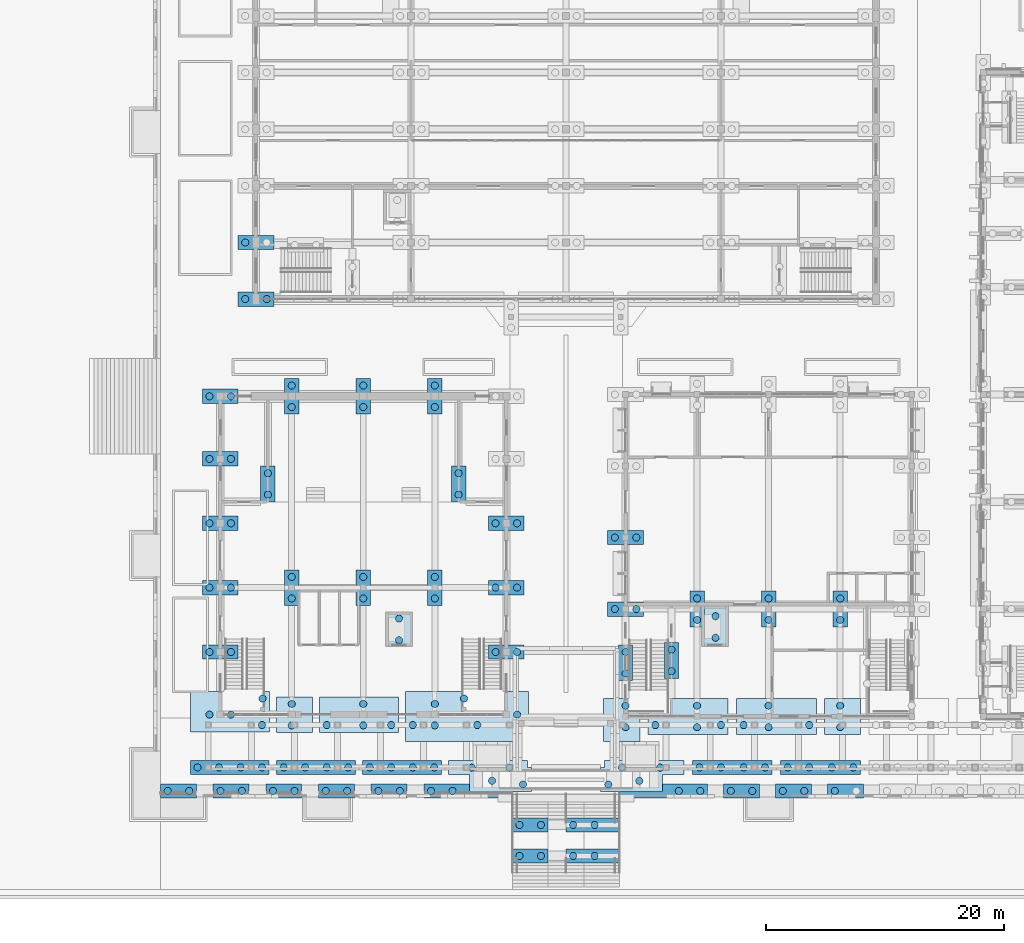
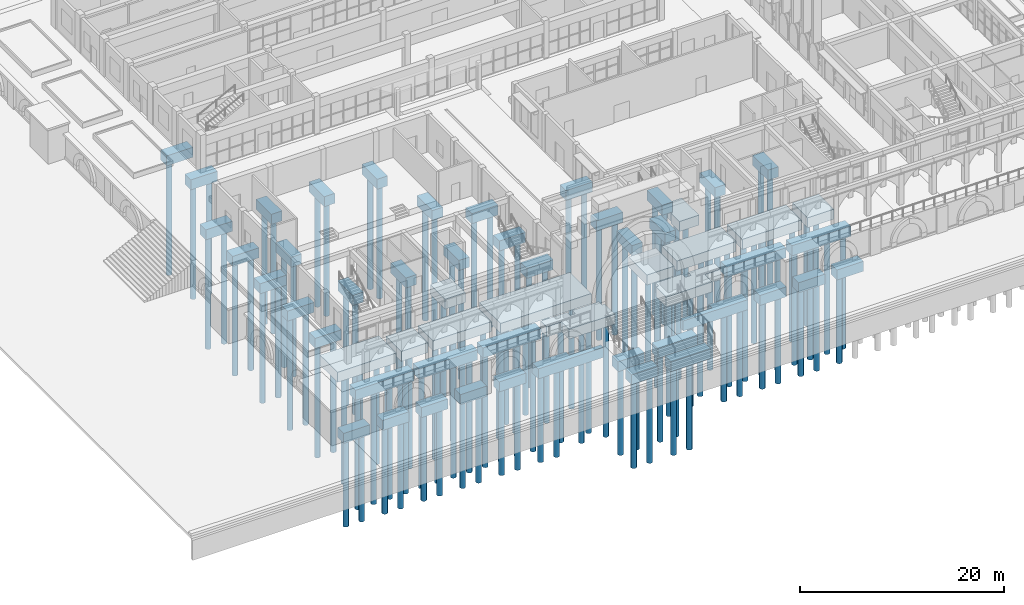
# One storey, part 1 of 161: 136 piles, 56 footings.
"""IFC4 building model written with IfcOpenShell, lengths in metres."""

from ifc_helpers import new_model, si_unit, direction, frame, origin, origin_2d, place, context, subcontext, project, spatial, polyline, rectangle, circle, outline, extrude, material, material_profile, profile_set, type_object, element, save


model = new_model("IFC4")

# Units and contexts
model_context = context("Model", 3, precision=1e-05, world=origin(), true_north=direction((0.0, 1.0)))
body_context = subcontext(model_context, "Body", "Model", "MODEL_VIEW")
ifc_project = project(units=[si_unit("LENGTHUNIT", "METRE"), si_unit("AREAUNIT", "SQUARE_METRE"), si_unit("VOLUMEUNIT", "CUBIC_METRE"), si_unit("PLANEANGLEUNIT", "RADIAN"), si_unit("MASSUNIT", "GRAM", prefix="KILO")], contexts=[model_context])

# Site, building, storey
site_placement = place(None, origin())
site = spatial("IfcSite", under=ifc_project, at=site_placement, CompositionType="ELEMENT")
building_placement = place(site_placement, origin())
building = spatial("IfcBuilding", under=site, at=building_placement, Name="Elbe Cascade School", CompositionType="ELEMENT")
storey_placement = place(building_placement, origin())
storey = spatial("IfcBuildingStorey", under=building, at=storey_placement, Name="L00", CompositionType="ELEMENT", Elevation=0.0)

# Piles
ifc_material_1 = material(Name="Concrete C35/45", Category="concrete")
ifc_material_profile = material_profile(ifc_material_1, circle(Radius=0.300048828125, at=origin_2d()), Name="RC D600")
ifc_profile_set = profile_set([ifc_material_profile], Name="Concrete C35/45")
pile_type = type_object("IfcPileType", Name="Found bored pile RC D600", PredefinedType="BORED", material=ifc_profile_set)
for number, where, z_axis, x_axis, name in (
    (1, (0.60009765625, -0.25, -4.5), (0.0, 0.0, -1.0), (1.0, 0.0, 0.0), "Pile 001-1"),
    (2, (2.39990234375, -0.25, -4.5), (0.0, 0.0, -1.0), (1.0, 0.0, 0.0), "Pile 001-2"),
    (3, (5.0166015625, -0.25, -4.5), (0.0, 0.0, -1.0), (1.0, 0.0, 0.0), "Pile 002-1"),
    (4, (6.816650390625, -0.25, -4.5), (0.0, 0.0, -1.0), (1.0, 0.0, 0.0), "Pile 002-2"),
    (5, (9.433349609375, -0.25, -4.5), (0.0, 0.0, -1.0), (1.0, 0.0, 0.0), "Pile 003-1"),
    (6, (11.2333984375, -0.25, -4.5), (0.0, 0.0, -1.0), (1.0, 0.0, 0.0), "Pile 003-2"),
    (7, (13.85009765625, -0.25, -4.5), (0.0, 0.0, -1.0), (1.0, 0.0, 0.0), "Pile 004-1"),
    (8, (15.64990234375, -0.25, -4.5), (0.0, 0.0, -1.0), (1.0, 0.0, 0.0), "Pile 004-2"),
    (9, (18.2666015625, -0.25, -4.5), (0.0, 0.0, -1.0), (1.0, 0.0, 0.0), "Pile 005-1"),
    (10, (20.066650390625, -0.25, -4.5), (0.0, 0.0, -1.0), (1.0, 0.0, 0.0), "Pile 005-2"),
    (11, (30.10009765625, -5.699951171875, -4.5), (0.0, 0.0, -1.0), (1.0, 0.0, 0.0), "Pile 006-1"),
    (12, (31.89990234375, -5.699951171875, -4.5), (0.0, 0.0, -1.0), (1.0, 0.0, 0.0), "Pile 006-2"),
    (13, (30.10009765625, -3.10009765625, -4.5), (0.0, 0.0, -1.0), (1.0, 0.0, 0.0), "Pile 007-1"),
    (14, (31.89990234375, -3.10009765625, -4.5), (0.0, 0.0, -1.0), (1.0, 0.0, 0.0), "Pile 007-2"),
    (15, (47.82421875, -0.25, -4.5), (0.0, 0.0, -1.0), (1.0, 0.0, 0.0), "Pile 008-1"),
    (16, (49.6240234375, -0.25, -4.5), (0.0, 0.0, -1.0), (1.0, 0.0, 0.0), "Pile 008-2"),
    (17, (52.186279296875, -0.25, -4.5), (0.0, 0.0, -1.0), (1.0, 0.0, 0.0), "Pile 009-1"),
    (18, (53.986328125, -0.25, -4.5), (0.0, 0.0, -1.0), (1.0, 0.0, 0.0), "Pile 009-2"),
    (19, (56.54833984375, -0.25, -4.5), (0.0, 0.0, -1.0), (1.0, 0.0, 0.0), "Pile 010-1"),
):
    element("IfcPile", number, at=place(storey_placement, frame(where, z_axis=z_axis, x_axis=x_axis)), inside=storey, type_object=pile_type, Name=name, PredefinedType="BORED", context=body_context, shape_type="SweptSolid", body=[
        extrude(circle(Radius=0.300048828125, at=origin_2d()), origin(), (0.0, 0.0, 1.0), 10.5),
    ])
for number, where, z_axis, x_axis, name in (
    (20, (20.0, 12.39990234375, -2.699951171875), (0.0, 0.0, -1.0), (1.0, 0.0, 0.0), "Pile 042-1"),
    (21, (20.0, 14.199951171875, -2.699951171875), (0.0, 0.0, -1.0), (1.0, 0.0, 0.0), "Pile 042-2"),
    (22, (46.550048828125, 12.60009765625, -2.699951171875), (0.0, 0.0, -1.0), (1.0, 0.0, 0.0), "Pile 043-1"),
    (23, (46.550048828125, 14.39990234375, -2.699951171875), (0.0, 0.0, -1.0), (1.0, 0.0, 0.0), "Pile 043-2"),
):
    element("IfcPile", number, at=place(storey_placement, frame(where, z_axis=z_axis, x_axis=x_axis)), inside=storey, type_object=pile_type, Name=name, PredefinedType="BORED", context=body_context, shape_type="SweptSolid", body=[
        extrude(circle(Radius=0.300048828125, at=origin_2d()), origin(), (0.0, 0.0, 1.0), 12.300048828125),
    ])
for number, where, z_axis, x_axis, name in (
    (24, (4.10009765625, 6.14990234375, -1.39990234375), (0.0, 0.0, -1.0), (1.0, 0.0, 0.0), "Pile 044-1"),
    (25, (5.89990234375, 6.14990234375, -1.39990234375), (0.0, 0.0, -1.0), (1.0, 0.0, 0.0), "Pile 044-2"),
    (26, (8.5107421875, 5.27490234375, -1.39990234375), (0.0, 0.0, -1.0), (1.0, 0.0, 0.0), "Pile 044-3"),
    (27, (8.550048828125, 7.5, -1.39990234375), (0.0, 0.0, -1.0), (1.0, 0.0, 0.0), "Pile 044-4"),
    (28, (4.10009765625, 11.39990234375, -1.39990234375), (0.0, 0.0, -1.0), (1.0, 0.0, 0.0), "Pile 045-1"),
    (29, (5.89990234375, 11.39990234375, -1.39990234375), (0.0, 0.0, -1.0), (1.0, 0.0, 0.0), "Pile 045-2"),
    (30, (4.10009765625, 16.800048828125, -1.39990234375), (0.0, 0.0, -1.0), (1.0, 0.0, 0.0), "Pile 046-1"),
    (31, (5.89990234375, 16.800048828125, -1.39990234375), (0.0, 0.0, -1.0), (1.0, 0.0, 0.0), "Pile 046-2"),
    (32, (4.10009765625, 22.199951171875, -1.39990234375), (0.0, 0.0, -1.0), (1.0, 0.0, 0.0), "Pile 047-1"),
    (33, (5.89990234375, 22.199951171875, -1.39990234375), (0.0, 0.0, -1.0), (1.0, 0.0, 0.0), "Pile 047-2"),
    (34, (4.10009765625, 27.60009765625, -1.39990234375), (0.0, 0.0, -1.0), (1.0, 0.0, 0.0), "Pile 048-1"),
    (35, (5.89990234375, 27.60009765625, -1.39990234375), (0.0, 0.0, -1.0), (1.0, 0.0, 0.0), "Pile 048-2"),
    (36, (4.10009765625, 32.85009765625, -1.39990234375), (0.0, 0.0, -1.0), (1.0, 0.0, 0.0), "Pile 049-1"),
    (37, (5.89990234375, 32.85009765625, -1.39990234375), (0.0, 0.0, -1.0), (1.0, 0.0, 0.0), "Pile 049-2"),
    (38, (7.10009765625, 41.0, -1.39990234375), (0.0, 0.0, -1.0), (1.0, 0.0, 0.0), "Pile 050-1"),
    (39, (8.89990234375, 41.0, -1.39990234375), (0.0, 0.0, -1.0), (1.0, 0.0, 0.0), "Pile 050-2"),
    (40, (7.10009765625, 45.75, -1.39990234375), (0.0, 0.0, -1.0), (1.0, 0.0, 0.0), "Pile 051-1"),
    (41, (9.0, 24.60009765625, -1.39990234375), (0.0, 0.0, -1.0), (1.0, 0.0, 0.0), "Pile 057-1"),
    (42, (9.0, 26.39990234375, -1.39990234375), (0.0, 0.0, -1.0), (1.0, 0.0, 0.0), "Pile 057-2"),
    (43, (11.0, 5.25, -1.39990234375), (0.0, 0.0, -1.0), (1.0, 0.0, 0.0), "Pile 058-1"),
    (44, (11.0, 7.050048828125, -1.39990234375), (0.0, 0.0, -1.0), (1.0, 0.0, 0.0), "Pile 058-2"),
    (45, (11.0, 15.89990234375, -1.39990234375), (0.0, 0.0, -1.0), (1.0, 0.0, 0.0), "Pile 059-1"),
    (46, (11.0, 17.699951171875, -1.39990234375), (0.0, 0.0, -1.0), (1.0, 0.0, 0.0), "Pile 059-2"),
    (47, (11.0, 31.949951171875, -1.39990234375), (0.0, 0.0, -1.0), (1.0, 0.0, 0.0), "Pile 060-1"),
    (48, (11.0, 33.75, -1.39990234375), (0.0, 0.0, -1.0), (1.0, 0.0, 0.0), "Pile 060-2"),
    (49, (13.93212890625, 5.27490234375, -1.39990234375), (0.0, 0.0, -1.0), (1.0, 0.0, 0.0), "Pile 062-1"),
    (50, (17.0, 5.25, -1.39990234375), (0.0, 0.0, -1.0), (1.0, 0.0, 0.0), "Pile 062-2"),
    (51, (17.0, 7.050048828125, -1.39990234375), (0.0, 0.0, -1.0), (1.0, 0.0, 0.0), "Pile 062-3"),
    (52, (19.343017578125, 5.27490234375, -1.39990234375), (0.0, 0.0, -1.0), (1.0, 0.0, 0.0), "Pile 062-4"),
    (53, (17.0, 15.89990234375, -1.39990234375), (0.0, 0.0, -1.0), (1.0, 0.0, 0.0), "Pile 064-1"),
    (54, (17.0, 17.699951171875, -1.39990234375), (0.0, 0.0, -1.0), (1.0, 0.0, 0.0), "Pile 064-2"),
    (55, (17.0, 31.949951171875, -1.39990234375), (0.0, 0.0, -1.0), (1.0, 0.0, 0.0), "Pile 065-1"),
    (56, (17.0, 33.75, -1.39990234375), (0.0, 0.0, -1.0), (1.0, 0.0, 0.0), "Pile 065-2"),
    (57, (21.153564453125, 5.27490234375, -1.39990234375), (0.0, 0.0, -1.0), (1.0, 0.0, 0.0), "Pile 072-1"),
    (58, (23.0, 5.25, -1.39990234375), (0.0, 0.0, -1.0), (1.0, 0.0, 0.0), "Pile 072-2"),
    (59, (23.0, 7.050048828125, -1.39990234375), (0.0, 0.0, -1.0), (1.0, 0.0, 0.0), "Pile 072-3"),
    (60, (25.449951171875, 7.5, -1.39990234375), (0.0, 0.0, -1.0), (1.0, 0.0, 0.0), "Pile 072-4"),
    (61, (26.564208984375, 5.27490234375, -1.39990234375), (0.0, 0.0, -1.0), (1.0, 0.0, 0.0), "Pile 072-5"),
    (62, (29.89990234375, 6.14990234375, -1.39990234375), (0.0, 0.0, -1.0), (1.0, 0.0, 0.0), "Pile 072-6"),
    (63, (23.0, 15.89990234375, -1.39990234375), (0.0, 0.0, -1.0), (1.0, 0.0, 0.0), "Pile 073-1"),
    (64, (23.0, 17.699951171875, -1.39990234375), (0.0, 0.0, -1.0), (1.0, 0.0, 0.0), "Pile 073-2"),
    (65, (23.0, 31.949951171875, -1.39990234375), (0.0, 0.0, -1.0), (1.0, 0.0, 0.0), "Pile 074-1"),
    (66, (23.0, 33.75, -1.39990234375), (0.0, 0.0, -1.0), (1.0, 0.0, 0.0), "Pile 074-2"),
    (67, (26.10009765625, 1.699951171875, -1.39990234375), (0.0, 0.0, -1.0), (1.0, 0.0, 0.0), "Pile 075-1"),
    (68, (27.800048828125, 0.60009765625, -1.39990234375), (0.0, 0.0, -1.0), (1.0, 0.0, 0.0), "Pile 075-2"),
    (69, (29.25, 1.699951171875, -1.39990234375), (0.0, 0.0, -1.0), (1.0, 0.0, 0.0), "Pile 075-3"),
    (70, (30.39990234375, 0.300048828125, -1.39990234375), (0.0, 0.0, -1.0), (1.0, 0.0, 0.0), "Pile 075-4"),
    (71, (25.0, 24.60009765625, -1.39990234375), (0.0, 0.0, -1.0), (1.0, 0.0, 0.0), "Pile 076-1"),
    (72, (25.0, 26.39990234375, -1.39990234375), (0.0, 0.0, -1.0), (1.0, 0.0, 0.0), "Pile 076-2"),
    (73, (28.10009765625, 11.39990234375, -1.39990234375), (0.0, 0.0, -1.0), (1.0, 0.0, 0.0), "Pile 077-1"),
    (74, (29.89990234375, 11.39990234375, -1.39990234375), (0.0, 0.0, -1.0), (1.0, 0.0, 0.0), "Pile 077-2"),
    (75, (28.10009765625, 16.800048828125, -1.39990234375), (0.0, 0.0, -1.0), (1.0, 0.0, 0.0), "Pile 078-1"),
    (76, (29.89990234375, 16.800048828125, -1.39990234375), (0.0, 0.0, -1.0), (1.0, 0.0, 0.0), "Pile 078-2"),
    (77, (28.10009765625, 22.199951171875, -1.39990234375), (0.0, 0.0, -1.0), (1.0, 0.0, 0.0), "Pile 079-1"),
    (78, (29.89990234375, 22.199951171875, -1.39990234375), (0.0, 0.0, -1.0), (1.0, 0.0, 0.0), "Pile 079-2"),
    (79, (37.550048828125, 0.300048828125, -1.39990234375), (0.0, 0.0, -1.0), (1.0, 0.0, 0.0), "Pile 088-1"),
    (80, (38.699951171875, 1.699951171875, -1.39990234375), (0.0, 0.0, -1.0), (1.0, 0.0, 0.0), "Pile 088-2"),
    (81, (40.14990234375, 0.60009765625, -1.39990234375), (0.0, 0.0, -1.0), (1.0, 0.0, 0.0), "Pile 088-3"),
    (82, (41.89990234375, 1.699951171875, -1.39990234375), (0.0, 0.0, -1.0), (1.0, 0.0, 0.0), "Pile 088-4"),
    (83, (39.0, 5.10009765625, -1.39990234375), (0.0, 0.0, -1.0), (1.0, 0.0, 0.0), "Pile 089-1"),
    (84, (39.0, 6.89990234375, -1.39990234375), (0.0, 0.0, -1.0), (1.0, 0.0, 0.0), "Pile 089-2"),
    (85, (38.10009765625, 15.0, -1.39990234375), (0.0, 0.0, -1.0), (1.0, 0.0, 0.0), "Pile 090-1"),
    (86, (39.89990234375, 15.0, -1.39990234375), (0.0, 0.0, -1.0), (1.0, 0.0, 0.0), "Pile 090-2"),
    (87, (38.10009765625, 21.0, -1.39990234375), (0.0, 0.0, -1.0), (1.0, 0.0, 0.0), "Pile 091-1"),
    (88, (39.89990234375, 21.0, -1.39990234375), (0.0, 0.0, -1.0), (1.0, 0.0, 0.0), "Pile 091-2"),
    (89, (39.0, 9.60009765625, -1.39990234375), (0.0, 0.0, -1.0), (1.0, 0.0, 0.0), "Pile 094-1"),
    (90, (39.0, 11.39990234375, -1.39990234375), (0.0, 0.0, -1.0), (1.0, 0.0, 0.0), "Pile 094-2"),
    (91, (41.5, 5.27490234375, -1.39990234375), (0.0, 0.0, -1.0), (1.0, 0.0, 0.0), "Pile 095-1"),
    (92, (45.0, 5.10009765625, -1.39990234375), (0.0, 0.0, -1.0), (1.0, 0.0, 0.0), "Pile 095-2"),
    (93, (45.0, 6.89990234375, -1.39990234375), (0.0, 0.0, -1.0), (1.0, 0.0, 0.0), "Pile 095-3"),
    (94, (47.0, 5.27490234375, -1.39990234375), (0.0, 0.0, -1.0), (1.0, 0.0, 0.0), "Pile 095-4"),
    (95, (42.85009765625, 9.800048828125, -1.39990234375), (0.0, 0.0, -1.0), (1.0, 0.0, 0.0), "Pile 096-1"),
    (96, (42.85009765625, 11.60009765625, -1.39990234375), (0.0, 0.0, -1.0), (1.0, 0.0, 0.0), "Pile 096-2"),
    (97, (45.0, 14.10009765625, -1.39990234375), (0.0, 0.0, -1.0), (1.0, 0.0, 0.0), "Pile 097-1"),
    (98, (45.0, 15.89990234375, -1.39990234375), (0.0, 0.0, -1.0), (1.0, 0.0, 0.0), "Pile 097-2"),
    (99, (48.89990234375, 5.27490234375, -1.39990234375), (0.0, 0.0, -1.0), (1.0, 0.0, 0.0), "Pile 105-1"),
    (100, (51.0, 5.10009765625, -1.39990234375), (0.0, 0.0, -1.0), (1.0, 0.0, 0.0), "Pile 105-2"),
    (101, (51.0, 6.89990234375, -1.39990234375), (0.0, 0.0, -1.0), (1.0, 0.0, 0.0), "Pile 105-3"),
    (102, (54.39990234375, 5.27490234375, -1.39990234375), (0.0, 0.0, -1.0), (1.0, 0.0, 0.0), "Pile 105-4"),
    (103, (51.0, 14.10009765625, -1.39990234375), (0.0, 0.0, -1.0), (1.0, 0.0, 0.0), "Pile 106-1"),
    (104, (51.0, 15.89990234375, -1.39990234375), (0.0, 0.0, -1.0), (1.0, 0.0, 0.0), "Pile 106-2"),
    (105, (57.0, 5.10009765625, -1.39990234375), (0.0, 0.0, -1.0), (1.0, 0.0, 0.0), "Pile 109-1"),
    (106, (57.0, 6.89990234375, -1.39990234375), (0.0, 0.0, -1.0), (1.0, 0.0, 0.0), "Pile 109-2"),
    (107, (57.0, 14.10009765625, -1.39990234375), (0.0, 0.0, -1.0), (1.0, 0.0, 0.0), "Pile 110-1"),
    (108, (57.0, 15.89990234375, -1.39990234375), (0.0, 0.0, -1.0), (1.0, 0.0, 0.0), "Pile 110-2"),
    (109, (3.10009765625, 1.72509765625, -1.39990234375), (0.0, 0.0, -1.0), (1.0, 0.0, 0.0), "Pile 276-1"),
    (110, (4.89990234375, 1.72509765625, -1.39990234375), (0.0, 0.0, -1.0), (1.0, 0.0, 0.0), "Pile 276-2"),
    (111, (6.710693359375, 1.72509765625, -1.39990234375), (0.0, 0.0, -1.0), (1.0, 0.0, 0.0), "Pile 276-3"),
    (112, (8.5107421875, 1.72509765625, -1.39990234375), (0.0, 0.0, -1.0), (1.0, 0.0, 0.0), "Pile 276-4"),
    (113, (10.3212890625, 1.72509765625, -1.39990234375), (0.0, 0.0, -1.0), (1.0, 0.0, 0.0), "Pile 277-1"),
    (114, (12.121337890625, 1.72509765625, -1.39990234375), (0.0, 0.0, -1.0), (1.0, 0.0, 0.0), "Pile 277-2"),
    (115, (13.93212890625, 1.72509765625, -1.39990234375), (0.0, 0.0, -1.0), (1.0, 0.0, 0.0), "Pile 277-3"),
    (116, (15.732177734375, 1.72509765625, -1.39990234375), (0.0, 0.0, -1.0), (1.0, 0.0, 0.0), "Pile 277-4"),
    (117, (17.54296875, 1.72509765625, -1.39990234375), (0.0, 0.0, -1.0), (1.0, 0.0, 0.0), "Pile 278-1"),
    (118, (19.343017578125, 1.72509765625, -1.39990234375), (0.0, 0.0, -1.0), (1.0, 0.0, 0.0), "Pile 278-2"),
    (119, (21.153564453125, 1.72509765625, -1.39990234375), (0.0, 0.0, -1.0), (1.0, 0.0, 0.0), "Pile 278-3"),
    (120, (22.95361328125, 1.72509765625, -1.39990234375), (0.0, 0.0, -1.0), (1.0, 0.0, 0.0), "Pile 278-4"),
    (121, (45.199951171875, 1.72509765625, -1.39990234375), (0.0, 0.0, -1.0), (1.0, 0.0, 0.0), "Pile 279-1"),
    (122, (47.0, 1.72509765625, -1.39990234375), (0.0, 0.0, -1.0), (1.0, 0.0, 0.0), "Pile 279-2"),
    (123, (48.89990234375, 1.72509765625, -1.39990234375), (0.0, 0.0, -1.0), (1.0, 0.0, 0.0), "Pile 279-3"),
    (124, (50.699951171875, 1.72509765625, -1.39990234375), (0.0, 0.0, -1.0), (1.0, 0.0, 0.0), "Pile 279-4"),
    (125, (52.60009765625, 1.72509765625, -1.39990234375), (0.0, 0.0, -1.0), (1.0, 0.0, 0.0), "Pile 280-1"),
    (126, (54.39990234375, 1.72509765625, -1.39990234375), (0.0, 0.0, -1.0), (1.0, 0.0, 0.0), "Pile 280-2"),
    (127, (56.300048828125, 1.72509765625, -1.39990234375), (0.0, 0.0, -1.0), (1.0, 0.0, 0.0), "Pile 280-3"),
    (128, (58.10009765625, 1.72509765625, -1.39990234375), (0.0, 0.0, -1.0), (1.0, 0.0, 0.0), "Pile 280-4"),
):
    element("IfcPile", number, at=place(storey_placement, frame(where, z_axis=z_axis, x_axis=x_axis)), inside=storey, type_object=pile_type, Name=name, PredefinedType="BORED", context=body_context, shape_type="SweptSolid", body=[
        extrude(circle(Radius=0.300048828125, at=origin_2d()), origin(), (0.0, 0.0, 1.0), 13.60009765625),
    ])
for number, where, z_axis, x_axis, name in (
    (129, (43.462158203125, -0.25, -4.5), (0.0, 0.0, -1.0), (1.0, 0.0, 0.0), "Pile 292-1"),
    (130, (45.261962890625, -0.25, -4.5), (0.0, 0.0, -1.0), (1.0, 0.0, 0.0), "Pile 292-2"),
    (131, (22.683349609375, -0.25, -4.5), (0.0, 0.0, -1.0), (1.0, 0.0, 0.0), "Pile 293-1"),
    (132, (24.4833984375, -0.25, -4.5), (0.0, 0.0, -1.0), (1.0, 0.0, 0.0), "Pile 293-2"),
    (133, (34.60009765625, -3.10009765625, -4.5), (0.0, 0.0, -1.0), (1.0, 0.0, 0.0), "Pile 294-1"),
    (134, (36.39990234375, -3.10009765625, -4.5), (0.0, 0.0, -1.0), (1.0, 0.0, 0.0), "Pile 294-2"),
    (135, (34.60009765625, -5.699951171875, -4.5), (0.0, 0.0, -1.0), (1.0, 0.0, 0.0), "Pile 295-1"),
    (136, (36.39990234375, -5.699951171875, -4.5), (0.0, 0.0, -1.0), (1.0, 0.0, 0.0), "Pile 295-2"),
):
    element("IfcPile", number, at=place(storey_placement, frame(where, z_axis=z_axis, x_axis=x_axis)), inside=storey, type_object=pile_type, Name=name, PredefinedType="BORED", context=body_context, shape_type="SweptSolid", body=[
        extrude(circle(Radius=0.300048828125, at=origin_2d()), origin(), (0.0, 0.0, 1.0), 10.5),
    ])

# Footings
ifc_material_2 = material(Name="Concrete C30/37", Category="concrete")
footing_type_1 = type_object("IfcFootingType", Name="Found pile cap 2 piles 2900x2300x1200", PredefinedType="PILE_CAP", material=ifc_material_2)
footing_1_placement = place(storey_placement, frame((20.0, 13.300048828125, -2.7998046875), z_axis=(0.0, 0.0, 1.0), x_axis=(1.0, 0.0, 0.0)))
element("IfcFooting", 137, at=footing_1_placement, inside=storey, type_object=footing_type_1, Name="Pile cap 042", PredefinedType="PILE_CAP", context=body_context, shape_type="SweptSolid", body=[
    extrude(rectangle(XDim=2.300048828125, YDim=2.89990234375, at=origin_2d()), origin(), (0.0, 0.0, 1.0), 1.199951171875),
])
ifc_material_3 = material(Name="Concrete C30/37", Category="concrete")
footing_type_2 = type_object("IfcFootingType", Name="Found pile cap 2 piles 3000x1200x1200", PredefinedType="PILE_CAP", material=ifc_material_3)
for number, where, z_axis, x_axis, name in (
    (138, (1.5, -0.25, -4.60009765625), (0.0, 0.0, 1.0), (1.0, 0.0, 0.0), "Pile cap 001"),
    (139, (5.916748046875, -0.25, -4.60009765625), (0.0, 0.0, 1.0), (1.0, 0.0, 0.0), "Pile cap 002"),
    (140, (10.333251953125, -0.25, -4.60009765625), (0.0, 0.0, 1.0), (1.0, 0.0, 0.0), "Pile cap 003"),
    (141, (14.75, -0.25, -4.60009765625), (0.0, 0.0, 1.0), (1.0, 0.0, 0.0), "Pile cap 004"),
    (142, (19.166748046875, -0.25, -4.60009765625), (0.0, 0.0, 1.0), (1.0, 0.0, 0.0), "Pile cap 005"),
    (143, (31.0, -5.699951171875, -4.60009765625), (0.0, 0.0, 1.0), (1.0, 0.0, 0.0), "Pile cap 006"),
    (144, (31.0, -3.10009765625, -4.60009765625), (0.0, 0.0, 1.0), (1.0, 0.0, 0.0), "Pile cap 007"),
    (145, (48.72412109375, -0.25, -4.60009765625), (0.0, 0.0, 1.0), (1.0, 0.0, 0.0), "Pile cap 008"),
    (146, (53.086181640625, -0.25, -4.60009765625), (0.0, 0.0, 1.0), (1.0, 0.0, 0.0), "Pile cap 009"),
    (147, (57.4482421875, -0.25, -4.60009765625), (0.0, 0.0, 1.0), (1.0, 0.0, 0.0), "Pile cap 010"),
    (148, (5.0, 11.39990234375, -1.5), (0.0, 0.0, 1.0), (1.0, 0.0, 0.0), "Pile cap 045"),
    (149, (5.0, 16.800048828125, -1.5), (0.0, 0.0, 1.0), (1.0, 0.0, 0.0), "Pile cap 046"),
    (150, (5.0, 22.199951171875, -1.5), (0.0, 0.0, 1.0), (1.0, 0.0, 0.0), "Pile cap 047"),
    (151, (5.0, 27.60009765625, -1.5), (0.0, 0.0, 1.0), (1.0, 0.0, 0.0), "Pile cap 048"),
    (152, (5.0, 32.85009765625, -1.5), (0.0, 0.0, 1.0), (1.0, 0.0, 0.0), "Pile cap 049"),
    (153, (8.0, 41.0, -1.5), (0.0, 0.0, 1.0), (1.0, 0.0, 0.0), "Pile cap 050"),
    (154, (8.0, 45.75, -1.5), (0.0, 0.0, 1.0), (1.0, 0.0, 0.0), "Pile cap 051"),
):
    element("IfcFooting", number, at=place(storey_placement, frame(where, z_axis=z_axis, x_axis=x_axis)), inside=storey, type_object=footing_type_2, Name=name, PredefinedType="PILE_CAP", context=body_context, shape_type="SweptSolid", body=[
        extrude(rectangle(XDim=3.0, YDim=1.199951171875, at=origin_2d()), origin(), (0.0, 0.0, 1.0), 1.199951171875),
    ])
for number, where, z_axis, x_axis, name in (
    (155, (9.0, 25.5, -1.5), (0.0, 0.0, 1.0), (1.0, 0.0, 0.0), "Pile cap 057"),
    (156, (11.0, 16.800048828125, -1.5), (0.0, 0.0, 1.0), (1.0, 0.0, 0.0), "Pile cap 059"),
    (157, (11.0, 32.85009765625, -1.5), (0.0, 0.0, 1.0), (1.0, 0.0, 0.0), "Pile cap 060"),
    (158, (17.0, 16.800048828125, -1.5), (0.0, 0.0, 1.0), (1.0, 0.0, 0.0), "Pile cap 064"),
    (159, (17.0, 32.85009765625, -1.5), (0.0, 0.0, 1.0), (1.0, 0.0, 0.0), "Pile cap 065"),
    (160, (23.0, 16.800048828125, -1.5), (0.0, 0.0, 1.0), (1.0, 0.0, 0.0), "Pile cap 073"),
    (161, (23.0, 32.85009765625, -1.5), (0.0, 0.0, 1.0), (1.0, 0.0, 0.0), "Pile cap 074"),
    (162, (25.0, 25.5, -1.5), (0.0, 0.0, 1.0), (1.0, 0.0, 0.0), "Pile cap 076"),
):
    element("IfcFooting", number, at=place(storey_placement, frame(where, z_axis=z_axis, x_axis=x_axis)), inside=storey, type_object=footing_type_2, Name=name, PredefinedType="PILE_CAP", context=body_context, shape_type="SweptSolid", body=[
        extrude(rectangle(XDim=1.199951171875, YDim=3.0, at=origin_2d()), origin(), (0.0, 0.0, 1.0), 1.199951171875),
    ])
for number, where, z_axis, x_axis, name in (
    (163, (29.0, 11.39990234375, -1.5), (0.0, 0.0, 1.0), (1.0, 0.0, 0.0), "Pile cap 077"),
    (164, (29.0, 16.800048828125, -1.5), (0.0, 0.0, 1.0), (1.0, 0.0, 0.0), "Pile cap 078"),
    (165, (29.0, 22.199951171875, -1.5), (0.0, 0.0, 1.0), (1.0, 0.0, 0.0), "Pile cap 079"),
    (166, (39.0, 15.0, -1.5), (0.0, 0.0, 1.0), (1.0, 0.0, 0.0), "Pile cap 090"),
    (167, (39.0, 21.0, -1.5), (0.0, 0.0, 1.0), (1.0, 0.0, 0.0), "Pile cap 091"),
):
    element("IfcFooting", number, at=place(storey_placement, frame(where, z_axis=z_axis, x_axis=x_axis)), inside=storey, type_object=footing_type_2, Name=name, PredefinedType="PILE_CAP", context=body_context, shape_type="SweptSolid", body=[
        extrude(rectangle(XDim=3.0, YDim=1.199951171875, at=origin_2d()), origin(), (0.0, 0.0, 1.0), 1.199951171875),
    ])
for number, where, z_axis, x_axis, name in (
    (168, (39.0, 10.5, -1.5), (0.0, 0.0, 1.0), (1.0, 0.0, 0.0), "Pile cap 094"),
    (169, (42.85009765625, 10.699951171875, -1.5), (0.0, 0.0, 1.0), (1.0, 0.0, 0.0), "Pile cap 096"),
    (170, (45.0, 15.0, -1.5), (0.0, 0.0, 1.0), (1.0, 0.0, 0.0), "Pile cap 097"),
    (171, (51.0, 15.0, -1.5), (0.0, 0.0, 1.0), (1.0, 0.0, 0.0), "Pile cap 106"),
    (172, (57.0, 15.0, -1.5), (0.0, 0.0, 1.0), (1.0, 0.0, 0.0), "Pile cap 110"),
):
    element("IfcFooting", number, at=place(storey_placement, frame(where, z_axis=z_axis, x_axis=x_axis)), inside=storey, type_object=footing_type_2, Name=name, PredefinedType="PILE_CAP", context=body_context, shape_type="SweptSolid", body=[
        extrude(rectangle(XDim=1.199951171875, YDim=3.0, at=origin_2d()), origin(), (0.0, 0.0, 1.0), 1.199951171875),
    ])
ifc_material_4 = material(Name="Concrete C30/37", Category="concrete")
footing_type_3 = type_object("IfcFootingType", Name="Found pile cap 2 piles 3000x3000x1200", PredefinedType="PILE_CAP", material=ifc_material_4)
for number, where, z_axis, x_axis, name in (
    (173, (11.221435546875, 6.14990234375, -1.5), (0.0, 0.0, 1.0), (1.0, 0.0, 0.0), "Pile cap 058"),
    (174, (57.199951171875, 6.0, -1.5), (0.0, 0.0, 1.0), (1.0, 0.0, 0.0), "Pile cap 109"),
):
    element("IfcFooting", number, at=place(storey_placement, frame(where, z_axis=z_axis, x_axis=x_axis)), inside=storey, type_object=footing_type_3, Name=name, PredefinedType="PILE_CAP", context=body_context, shape_type="SweptSolid", body=[
        extrude(rectangle(XDim=3.0, YDim=3.0, at=origin_2d()), origin(), (0.0, 0.0, 1.0), 1.199951171875),
    ])
ifc_material_5 = material(Name="Concrete C30/37", Category="concrete")
footing_type_4 = type_object("IfcFootingType", Name="Found pile cap 2 piles 3600x3075x1200", PredefinedType="PILE_CAP", material=ifc_material_5)
footing_2_placement = place(storey_placement, frame((38.6875, 5.699951171875, -1.5), z_axis=(0.0, 0.0, 1.0), x_axis=(1.0, 0.0, 0.0)))
element("IfcFooting", 175, at=footing_2_placement, inside=storey, type_object=footing_type_4, Name="Pile cap 089", PredefinedType="PILE_CAP", context=body_context, shape_type="SweptSolid", body=[
    extrude(rectangle(XDim=3.074951171875, YDim=3.60009765625, at=origin_2d()), origin(), (0.0, 0.0, 1.0), 1.199951171875),
])
ifc_material_6 = material(Name="Concrete C30/37", Category="concrete")
footing_type_5 = type_object("IfcFootingType", Name="Found pile cap 2 piles 4500x1200x1200", PredefinedType="PILE_CAP", material=ifc_material_6)
for number, where, z_axis, x_axis, name in (
    (176, (36.25, -3.10009765625, -4.60009765625), (0.0, 0.0, 1.0), (1.0, 0.0, 0.0), "Pile cap 294"),
    (177, (36.25, -5.699951171875, -4.60009765625), (0.0, 0.0, 1.0), (1.0, 0.0, 0.0), "Pile cap 295"),
):
    element("IfcFooting", number, at=place(storey_placement, frame(where, z_axis=z_axis, x_axis=x_axis)), inside=storey, type_object=footing_type_5, Name=name, PredefinedType="PILE_CAP", context=body_context, shape_type="SweptSolid", body=[
        extrude(rectangle(XDim=4.5, YDim=1.199951171875, at=origin_2d()), origin(), (0.0, 0.0, 1.0), 1.199951171875),
    ])
ifc_material_7 = material(Name="Concrete C30/37", Category="concrete")
footing_type_6 = type_object("IfcFootingType", Name="Found pile cap 4 piles 6611x1200x1200", PredefinedType="PILE_CAP", material=ifc_material_7)
for number, where, z_axis, x_axis, name in (
    (178, (5.805419921875, 1.72509765625, -1.5), (0.0, 0.0, 1.0), (1.0, 0.0, 0.0), "Pile cap 276"),
    (179, (13.02685546875, 1.72509765625, -1.5), (0.0, 0.0, 1.0), (1.0, 0.0, 0.0), "Pile cap 277"),
    (180, (20.248291015625, 1.72509765625, -1.5), (0.0, 0.0, 1.0), (1.0, 0.0, 0.0), "Pile cap 278"),
):
    element("IfcFooting", number, at=place(storey_placement, frame(where, z_axis=z_axis, x_axis=x_axis)), inside=storey, type_object=footing_type_6, Name=name, PredefinedType="PILE_CAP", context=body_context, shape_type="SweptSolid", body=[
        extrude(rectangle(XDim=6.610595703125, YDim=1.199951171875, at=origin_2d()), origin(), (0.0, 0.0, 1.0), 1.199951171875),
    ])
ifc_material_8 = material(Name="Concrete C30/37", Category="concrete")
footing_type_7 = type_object("IfcFootingType", Name="Found pile cap 4 piles 6611x3000x1200", PredefinedType="PILE_CAP", material=ifc_material_8)
footing_3_placement = place(storey_placement, frame((16.637451171875, 6.14990234375, -1.5), z_axis=(0.0, 0.0, 1.0), x_axis=(1.0, 0.0, 0.0)))
element("IfcFooting", 181, at=footing_3_placement, inside=storey, type_object=footing_type_7, Name="Pile cap 062", PredefinedType="PILE_CAP", context=body_context, shape_type="SweptSolid", body=[
    extrude(rectangle(XDim=6.61083984375, YDim=3.0, at=origin_2d()), origin(), (0.0, 0.0, 1.0), 1.199951171875),
])
ifc_material_9 = material(Name="Concrete C30/37", Category="concrete")
footing_type_8 = type_object("IfcFootingType", Name="Found pile cap 4 piles 6650x3425x1200", PredefinedType="PILE_CAP", material=ifc_material_9)
footing_4_placement = place(storey_placement, frame((5.824951171875, 6.387451171875, -1.5), z_axis=(0.0, 0.0, 1.0), x_axis=(1.0, 0.0, 0.0)))
element("IfcFooting", 182, at=footing_4_placement, inside=storey, type_object=footing_type_8, Name="Pile cap 044", PredefinedType="PILE_CAP", context=body_context, shape_type="SweptSolid", body=[
    extrude(rectangle(XDim=6.64990234375, YDim=3.425048828125, at=origin_2d()), origin(), (0.0, 0.0, 1.0), 1.199951171875),
])
ifc_material_10 = material(Name="Concrete C30/37", Category="concrete")
footing_type_9 = type_object("IfcFootingType", Name="Found pile cap 4 piles 6700x1200x1200", PredefinedType="PILE_CAP", material=ifc_material_10)
for number, where, z_axis, x_axis, name in (
    (183, (47.949951171875, 1.72509765625, -1.5), (0.0, 0.0, 1.0), (1.0, 0.0, 0.0), "Pile cap 279"),
    (184, (55.35009765625, 1.72509765625, -1.5), (0.0, 0.0, 1.0), (1.0, 0.0, 0.0), "Pile cap 280"),
):
    element("IfcFooting", number, at=place(storey_placement, frame(where, z_axis=z_axis, x_axis=x_axis)), inside=storey, type_object=footing_type_9, Name=name, PredefinedType="PILE_CAP", context=body_context, shape_type="SweptSolid", body=[
        extrude(rectangle(XDim=6.699951171875, YDim=1.199951171875, at=origin_2d()), origin(), (0.0, 0.0, 1.0), 1.199951171875),
    ])
ifc_material_11 = material(Name="Concrete C30/37", Category="concrete")
footing_type_10 = type_object("IfcFootingType", Name="Found pile cap 4 piles 6700x3000x1200", PredefinedType="PILE_CAP", material=ifc_material_11)
for number, where, z_axis, x_axis, name in (
    (185, (44.25, 6.0, -1.5), (0.0, 0.0, 1.0), (1.0, 0.0, 0.0), "Pile cap 095"),
    (186, (51.64990234375, 6.0, -1.5), (0.0, 0.0, 1.0), (1.0, 0.0, 0.0), "Pile cap 105"),
):
    element("IfcFooting", number, at=place(storey_placement, frame(where, z_axis=z_axis, x_axis=x_axis)), inside=storey, type_object=footing_type_10, Name=name, PredefinedType="PILE_CAP", context=body_context, shape_type="SweptSolid", body=[
        extrude(rectangle(XDim=6.699951171875, YDim=3.0, at=origin_2d()), origin(), (0.0, 0.0, 1.0), 1.199951171875),
    ])
ifc_material_12 = material(Name="Concrete C30/37", Category="concrete")
footing_type_11 = type_object("IfcFootingType", Name="Found pile cap 6 piles 10296x4200x1200", PredefinedType="PILE_CAP", material=ifc_material_12)
footing_5_placement = place(storey_placement, frame((25.701904296875, 6.0, -1.5), z_axis=(0.0, 0.0, 1.0), x_axis=(1.0, 0.0, 0.0)))
element("IfcFooting", 187, at=footing_5_placement, inside=storey, type_object=footing_type_11, Name="Pile cap 072", PredefinedType="PILE_CAP", context=body_context, shape_type="SweptSolid", body=[
    extrude(rectangle(XDim=10.29638671875, YDim=4.199951171875, at=origin_2d()), origin(), (0.0, 0.0, 1.0), 1.199951171875),
])
ifc_material_13 = material(Name="Concrete C30/37", Category="concrete")
footing_type_12 = type_object("IfcFootingType", Name="Found pile cap merged 1200", PredefinedType="PILE_CAP", material=ifc_material_13)
footing_6_placement = place(storey_placement, frame((0.0, 0.0, -2.800048828125)))
element("IfcFooting", 188, at=footing_6_placement, inside=storey, type_object=footing_type_12, Name="Pile cap 043", PredefinedType="PILE_CAP", context=body_context, shape_type="SweptSolid", body=[
    extrude(outline(polyline([(47.64990234375, 15.25), (47.64990234375, 11.85009765625), (45.39990234375, 11.85009765625), (45.39990234375, 13.5), (45.60009765625, 13.5), (45.60009765625, 15.25), (47.64990234375, 15.25)])), origin(), (0.0, 0.0, 1.0), 1.199951171875),
])
footing_7_placement = place(storey_placement, frame((0.0, 0.0, -1.5)))
element("IfcFooting", 189, at=footing_7_placement, inside=storey, type_object=footing_type_12, Name="Pile cap 075", PredefinedType="PILE_CAP", context=body_context, shape_type="SweptSolid", body=[
    extrude(outline(polyline([(31.10009765625, 1.699951171875), (31.10009765625, -0.300048828125), (25.89990234375, -0.300048828125), (25.89990234375, 1.125), (24.164306640625, 1.125), (24.164306640625, 2.324951171875), (27.164306640625, 2.324951171875), (27.164306640625, 1.699951171875), (27.77490234375, 1.699951171875), (27.77490234375, 2.324951171875), (30.77490234375, 2.324951171875), (30.77490234375, 1.699951171875), (31.10009765625, 1.699951171875)])), origin(), (0.0, 0.0, 1.0), 1.199951171875),
])
footing_8_placement = place(storey_placement, frame((0.0, 0.0, -1.5)))
element("IfcFooting", 190, at=footing_8_placement, inside=storey, type_object=footing_type_12, Name="Pile cap 088", PredefinedType="PILE_CAP", context=body_context, shape_type="SweptSolid", body=[
    extrude(outline(polyline([(42.10009765625, -0.300048828125), (36.89990234375, -0.300048828125), (36.89990234375, 1.699951171875), (37.22509765625, 1.699951171875), (37.22509765625, 2.324951171875), (40.22509765625, 2.324951171875), (40.22509765625, 1.699951171875), (40.89990234375, 1.699951171875), (40.89990234375, 2.324951171875), (43.89990234375, 2.324951171875), (43.89990234375, 1.125), (42.10009765625, 1.125), (42.10009765625, -0.300048828125)])), origin(), (0.0, 0.0, 1.0), 1.199951171875),
])
footing_9_placement = place(storey_placement, frame((0.0, 0.0, -4.60009765625)))
element("IfcFooting", 191, at=footing_9_placement, inside=storey, type_object=footing_type_12, Name="Pile cap 292", PredefinedType="PILE_CAP", context=body_context, shape_type="SweptSolid", body=[
    extrude(outline(polyline([(38.5, -0.300048828125), (42.10009765625, -0.300048828125), (42.10009765625, 0.35009765625), (42.862060546875, 0.35009765625), (45.862060546875, 0.35009765625), (45.862060546875, -0.85009765625), (42.862060546875, -0.85009765625), (38.5, -0.85009765625), (38.5, -0.300048828125)])), origin(), (0.0, 0.0, 1.0), 1.2001953125),
])
footing_10_placement = place(storey_placement, frame((0.0, 0.0, -4.60009765625)))
element("IfcFooting", 192, at=footing_10_placement, inside=storey, type_object=footing_type_12, Name="Pile cap 293", PredefinedType="PILE_CAP", context=body_context, shape_type="SweptSolid", body=[
    extrude(outline(polyline([(22.083251953125, 0.35009765625), (25.083251953125, 0.35009765625), (25.89990234375, 0.35009765625), (25.89990234375, -0.300048828125), (29.5, -0.300048828125), (29.5, -0.85009765625), (25.083251953125, -0.85009765625), (22.083251953125, -0.85009765625), (22.083251953125, 0.35009765625)])), origin(), (0.0, 0.0, 1.0), 1.2001953125),
])

save(model, "model.ifc")
